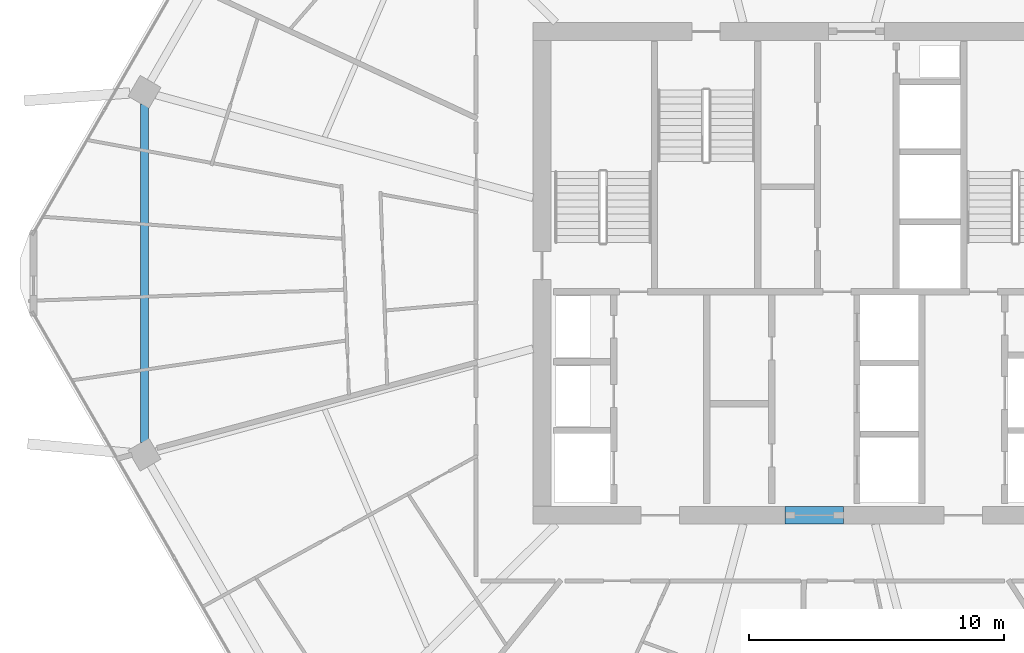
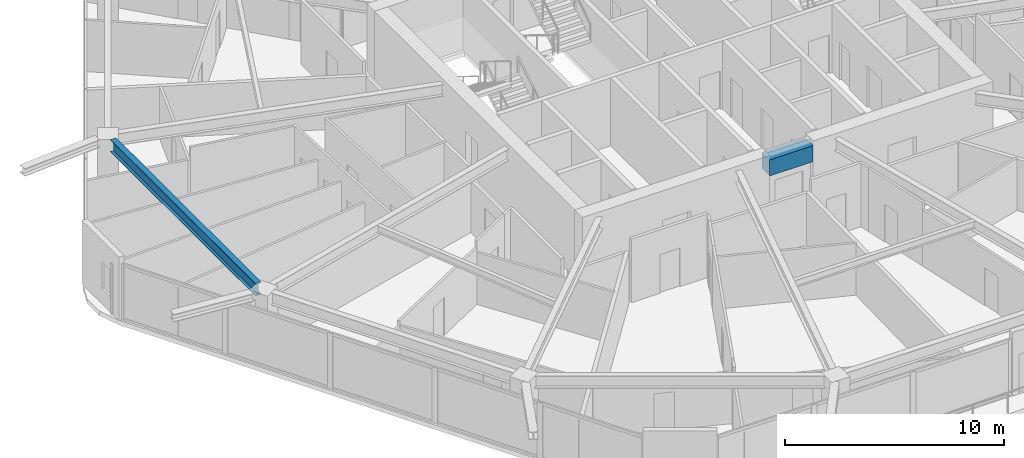
# One storey, part 6 of 27: 2 beams.
"""IFC4 building model written with IfcOpenShell, lengths in metres."""

from ifc_helpers import new_model, si_unit, direction, frame, origin, origin_2d, place, context, subcontext, project, spatial, rectangle, i_section, extrude, material, material_profile, profile_set, type_object, element, save


model = new_model("IFC4")

# Units and contexts
model_context = context("Model", 3, precision=1e-05, world=origin(), true_north=direction((0.0, 1.0)))
body_context = subcontext(model_context, "Body", "Model", "MODEL_VIEW")
ifc_project = project(units=[si_unit("LENGTHUNIT", "METRE"), si_unit("AREAUNIT", "SQUARE_METRE"), si_unit("VOLUMEUNIT", "CUBIC_METRE"), si_unit("PLANEANGLEUNIT", "RADIAN"), si_unit("MASSUNIT", "GRAM", prefix="KILO")], contexts=[model_context])

# Site, building, storey
site_placement = place(None, origin())
site = spatial("IfcSite", under=ifc_project, at=site_placement, CompositionType="ELEMENT")
building_placement = place(site_placement, origin())
building = spatial("IfcBuilding", under=site, at=building_placement, Name="Zuhravey Tower", CompositionType="ELEMENT")
storey_placement = place(building_placement, frame((0.0, 0.0, 218.800048828125)))
storey = spatial("IfcBuildingStorey", under=building, at=storey_placement, Name="L55", CompositionType="ELEMENT", Elevation=218.800048828125)

# Beams
ifc_material_1 = material(Name="Concrete C60/75", Category="concrete")
ifc_material_profile_1 = material_profile(ifc_material_1, rectangle(XDim=0.699951171875, YDim=0.89990234375, at=origin_2d()), Name="RC-700x900")
ifc_profile_set_1 = profile_set([ifc_material_profile_1], Name="Concrete C60/75")
beam_type_1 = type_object("IfcBeamType", Name="Core Coupling Beam RC700x900", PredefinedType="LINTEL", material=ifc_profile_set_1)
beam_1_placement = place(storey_placement, frame((35.052001953125, 22.5, 3.099853515625), z_axis=(1.0, 0.0, 0.0), x_axis=(0.0, 1.0, 0.0)))
element("IfcBeam", 1, at=beam_1_placement, inside=storey, type_object=beam_type_1, Name="L55 CB1 BM-L55-CB-S", PredefinedType="LINTEL", context=body_context, shape_type="SweptSolid", body=[
    extrude(rectangle(XDim=0.699951171875, YDim=0.89990234375, at=origin_2d()), origin(), (0.0, 0.0, 1.0), 2.2958984375),
])
ifc_material_2 = material(Name="Steel SM355", Category="steel")
ifc_material_profile_2 = material_profile(ifc_material_2, i_section(OverallWidth=0.300048828125, OverallDepth=0.679931640625, WebThickness=0.012939453125, FlangeThickness=0.02197265625, at=origin_2d()), Name="H-680x300x13x22")
ifc_profile_set_2 = profile_set([ifc_material_profile_2], Name="Steel SM355")
beam_type_2 = type_object("IfcBeamType", Name="Perimeter Ring Beam H680x300", PredefinedType="BEAM", material=ifc_profile_set_2)
beam_2_placement = place(storey_placement, frame((9.892333984375, 38.6484375, 3.2099609375), z_axis=(0.0, -1.0, 0.0), x_axis=(1.0, 0.0, 0.0)))
element("IfcBeam", 2, at=beam_2_placement, inside=storey, type_object=beam_type_2, Name="L55 PB2 BM-L55-PB-06", PredefinedType="BEAM", context=body_context, shape_type="SweptSolid", body=[
    extrude(i_section(OverallWidth=0.300048828125, OverallDepth=0.679931640625, WebThickness=0.012939453125, FlangeThickness=0.02197265625, at=origin_2d()), origin(), (0.0, 0.0, 1.0), 13.296875),
])

save(model, "model.ifc")
